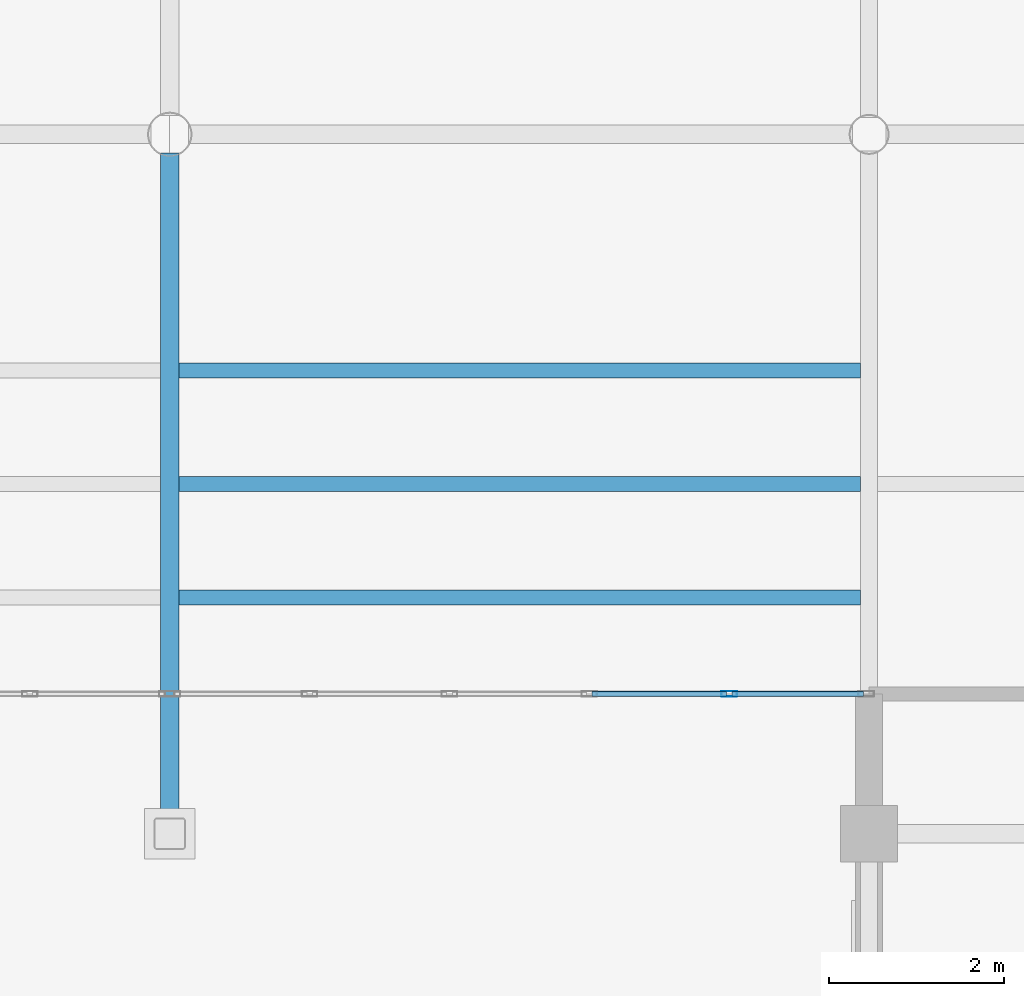
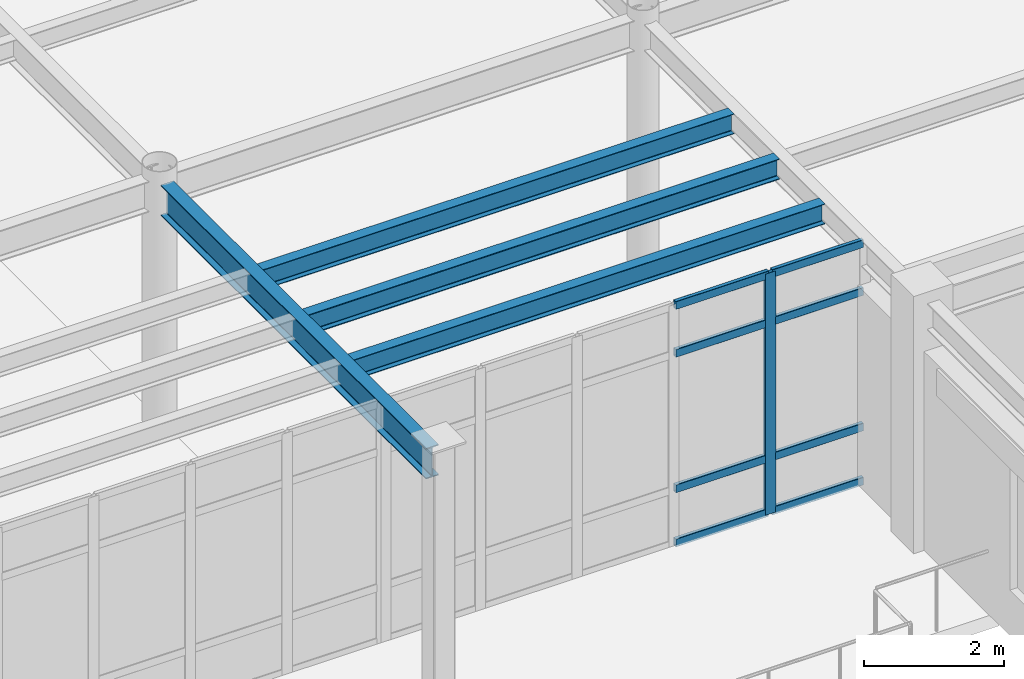
# One storey, part 46 of 111: 9 members, 4 beams, 1 element without a shape of its own.
"""IFC4 building model written with IfcOpenShell, lengths in metres."""

from ifc_helpers import new_model, si_unit, direction, frame, origin, origin_2d, place, context, subcontext, project, spatial, hollow_rectangle, i_section, extrude, material, material_profile, profile_set, type_object, element, aggregate, save


model = new_model("IFC4")

# Units and contexts
model_context = context("Model", 3, precision=1e-05, world=origin(), true_north=direction((0.0, 1.0)))
body_context = subcontext(model_context, "Body", "Model", "MODEL_VIEW")
ifc_project = project(units=[si_unit("LENGTHUNIT", "METRE"), si_unit("AREAUNIT", "SQUARE_METRE"), si_unit("VOLUMEUNIT", "CUBIC_METRE"), si_unit("PLANEANGLEUNIT", "RADIAN"), si_unit("MASSUNIT", "GRAM", prefix="KILO")], contexts=[model_context])

# Site, building, storey
site_placement = place(None, origin())
site = spatial("IfcSite", under=ifc_project, at=site_placement, CompositionType="ELEMENT")
building_placement = place(site_placement, origin())
building = spatial("IfcBuilding", under=site, at=building_placement, Name="Solmirada Galleria", CompositionType="ELEMENT")
storey_placement = place(building_placement, frame((0.0, 0.0, 10.39990234375)))
storey = spatial("IfcBuildingStorey", under=building, at=storey_placement, Name="L02", CompositionType="ELEMENT", Elevation=10.39990234375)

# Beams
ifc_material_1 = material(Name="Steel S355 / ASTM A992 Grade 50", Category="steel")
ifc_material_profile_1 = material_profile(ifc_material_1, i_section(OverallWidth=0.2099609375, OverallDepth=0.537109375, WebThickness=0.010986328125, FlangeThickness=0.017333984375, FilletRadius=0.014892578125, at=origin_2d()), Name="W21X68")
ifc_profile_set_1 = profile_set([ifc_material_profile_1], Name="Steel S355 / ASTM A992 Grade 50")
beam_type_1 = type_object("IfcBeamType", Name="BM-GIRD-W21B", PredefinedType="BEAM", material=ifc_profile_set_1)
beam_1_placement = place(storey_placement, frame((80.0, 80.177978515625, 3.99169921875), z_axis=(0.0, 1.0, 0.0), x_axis=(-1.0, 0.0, 0.0)))
element("IfcBeam", 1, at=beam_1_placement, inside=storey, type_object=beam_type_1, Name="Primary girder L03 Y(80, 80..88)", PredefinedType="BEAM", context=body_context, shape_type="SweptSolid", body=[
    extrude(i_section(OverallWidth=0.2099609375, OverallDepth=0.537109375, WebThickness=0.010986328125, FlangeThickness=0.017333984375, FilletRadius=0.014892578125, at=origin_2d()), origin(), (0.0, 0.0, 1.0), 7.608642578125),
])
ifc_material_profile_2 = material_profile(ifc_material_1, i_section(OverallWidth=0.172119140625, OverallDepth=0.35791015625, WebThickness=0.0078125, FlangeThickness=0.01318359375, FilletRadius=0.011962890625, at=origin_2d()), Name="W14X38")
ifc_profile_set_2 = profile_set([ifc_material_profile_2], Name="Steel S355 / ASTM A992 Grade 50")
beam_type_2 = type_object("IfcBeamType", Name="BM-JST-W14A", PredefinedType="JOIST", material=ifc_profile_set_2)
beam_2_placement = place(storey_placement, frame((80.10498046875, 84.0, 4.0810546875), z_axis=(1.0, 0.0, 0.0), x_axis=(0.0, 1.0, 0.0)))
element("IfcBeam", 2, at=beam_2_placement, inside=storey, type_object=beam_type_2, Name="Composite floor joist L03 (80..88, 84.0)", PredefinedType="JOIST", context=body_context, shape_type="SweptSolid", body=[
    extrude(i_section(OverallWidth=0.172119140625, OverallDepth=0.35791015625, WebThickness=0.0078125, FlangeThickness=0.01318359375, FilletRadius=0.011962890625, at=origin_2d()), origin(), (0.0, 0.0, 1.0), 7.798095703125),
])
ifc_material_profile_3 = material_profile(ifc_material_1, i_section(OverallWidth=0.1708984375, OverallDepth=0.35205078125, WebThickness=0.0068359375, FlangeThickness=0.009765625, FilletRadius=0.010986328125, at=origin_2d()), Name="W14X30")
ifc_profile_set_3 = profile_set([ifc_material_profile_3], Name="Steel S355 / ASTM A992 Grade 50")
beam_type_3 = type_object("IfcBeamType", Name="BM-JST-W14B", PredefinedType="JOIST", material=ifc_profile_set_3)
for number, where, z_axis, x_axis, name in (
    (3, (80.10498046875, 82.699951171875, 4.083984375), (1.0, 0.0, 0.0), (0.0, 1.0, 0.0), "Terrace deck joist L03-TERR-NW X=80..88 (1)"),
    (4, (80.10498046875, 85.300048828125, 4.083984375), (1.0, 0.0, 0.0), (0.0, 1.0, 0.0), "Terrace deck joist L03-TERR-NW X=80..88 (2)"),
):
    element("IfcBeam", number, at=place(storey_placement, frame(where, z_axis=z_axis, x_axis=x_axis)), inside=storey, type_object=beam_type_3, Name=name, PredefinedType="JOIST", context=body_context, shape_type="SweptSolid", body=[
        extrude(i_section(OverallWidth=0.1708984375, OverallDepth=0.35205078125, WebThickness=0.0068359375, FlangeThickness=0.009765625, FilletRadius=0.010986328125, at=origin_2d()), origin(), (0.0, 0.0, 1.0), 7.798095703125),
    ])

# Curtain wall, members
ifc_material_2 = material(Name="Impact-resistant low-E double glazing", Category="glass")
curtain_wall_type = type_object("IfcCurtainWallType", Name="CW-FZ4-L02-B5-L080", PredefinedType="NOTDEFINED", material=ifc_material_2)
curtain_wall_placement = place(storey_placement, origin())
curtain_wall = element("IfcCurtainWall", 5, at=curtain_wall_placement, inside=storey, type_object=curtain_wall_type, Name="Terrace and arcade storefront CW-L02-088", PredefinedType="NOTDEFINED")
ifc_material_3 = material(Name="Anodised aluminium framing", Category="aluminium")
ifc_material_profile_4 = material_profile(ifc_material_3, hollow_rectangle(XDim=0.06494140625, YDim=0.179931640625, WallThickness=0.00390625, InnerFilletRadius=0.00390625, OuterFilletRadius=0.008056640625, at=origin_2d()), Name="ALU-MULL-180X65")
ifc_profile_set_4 = profile_set([ifc_material_profile_4], Name="Anodised aluminium framing")
member_type_1 = type_object("IfcMemberType", Name="CW-MULL-180", PredefinedType="MULLION", material=ifc_profile_set_4)
member_1_placement = place(storey_placement, frame((86.39990234375, 81.60009765625, 0.0), z_axis=(0.0, 0.0, 1.0), x_axis=(0.0, -1.0, 0.0)))
member_1 = element("IfcMember", 6, at=member_1_placement, type_object=member_type_1, Name="CW22 mullion 2", PredefinedType="MULLION", context=body_context, shape_type="SweptSolid", body=[
    extrude(hollow_rectangle(XDim=0.06494140625, YDim=0.179931640625, WallThickness=0.00390625, InnerFilletRadius=0.00390625, OuterFilletRadius=0.008056640625, at=origin_2d()), origin(), (0.0, 0.0, 1.0), 4.22021484375),
])
ifc_material_profile_5 = material_profile(ifc_material_3, hollow_rectangle(XDim=0.06494140625, YDim=0.139892578125, WallThickness=0.00341796875, InnerFilletRadius=0.00341796875, OuterFilletRadius=0.007080078125, at=origin_2d()), Name="ALU-TRAN-140X65")
ifc_profile_set_5 = profile_set([ifc_material_profile_5], Name="Anodised aluminium framing")
member_type_2 = type_object("IfcMemberType", Name="CW-TRAN-140", PredefinedType="USERDEFINED", material=ifc_profile_set_5)
member_2_placement = place(storey_placement, frame((87.93505859375, 81.60009765625, 0.03271484375), z_axis=(-1.0, 0.0, 0.0), x_axis=(0.0, -1.0, 0.0)))
member_2 = element("IfcMember", 7, at=member_2_placement, type_object=member_type_2, Name="CW22 transom 1.1", ObjectType="TRANSOM", PredefinedType="USERDEFINED", context=body_context, shape_type="SweptSolid", body=[
    extrude(hollow_rectangle(XDim=0.06494140625, YDim=0.139892578125, WallThickness=0.00341796875, InnerFilletRadius=0.00341796875, OuterFilletRadius=0.007080078125, at=origin_2d()), origin(), (0.0, 0.0, 1.0), 1.50244140625),
])
member_3_placement = place(storey_placement, frame((87.93505859375, 81.60009765625, 0.97998046875), z_axis=(-1.0, 0.0, 0.0), x_axis=(0.0, -1.0, 0.0)))
member_3 = element("IfcMember", 8, at=member_3_placement, type_object=member_type_2, Name="CW22 transom 1.2", ObjectType="TRANSOM", PredefinedType="USERDEFINED", context=body_context, shape_type="SweptSolid", body=[
    extrude(hollow_rectangle(XDim=0.06494140625, YDim=0.139892578125, WallThickness=0.00341796875, InnerFilletRadius=0.00341796875, OuterFilletRadius=0.007080078125, at=origin_2d()), origin(), (0.0, 0.0, 1.0), 1.50244140625),
])
member_4_placement = place(storey_placement, frame((87.93505859375, 81.60009765625, 3.35009765625), z_axis=(-1.0, 0.0, 0.0), x_axis=(0.0, -1.0, 0.0)))
member_4 = element("IfcMember", 9, at=member_4_placement, type_object=member_type_2, Name="CW22 transom 1.3", ObjectType="TRANSOM", PredefinedType="USERDEFINED", context=body_context, shape_type="SweptSolid", body=[
    extrude(hollow_rectangle(XDim=0.06494140625, YDim=0.139892578125, WallThickness=0.00341796875, InnerFilletRadius=0.00341796875, OuterFilletRadius=0.007080078125, at=origin_2d()), origin(), (0.0, 0.0, 1.0), 1.50244140625),
])
member_5_placement = place(storey_placement, frame((87.93505859375, 81.60009765625, 4.1875), z_axis=(-1.0, 0.0, 0.0), x_axis=(0.0, -1.0, 0.0)))
member_5 = element("IfcMember", 10, at=member_5_placement, type_object=member_type_2, Name="CW22 transom 1.4", ObjectType="TRANSOM", PredefinedType="USERDEFINED", context=body_context, shape_type="SweptSolid", body=[
    extrude(hollow_rectangle(XDim=0.06494140625, YDim=0.139892578125, WallThickness=0.00341796875, InnerFilletRadius=0.00341796875, OuterFilletRadius=0.007080078125, at=origin_2d()), origin(), (0.0, 0.0, 1.0), 1.50244140625),
])
member_6_placement = place(storey_placement, frame((86.367431640625, 81.60009765625, 0.03271484375), z_axis=(-1.0, 0.0, 0.0), x_axis=(0.0, -1.0, 0.0)))
member_6 = element("IfcMember", 11, at=member_6_placement, type_object=member_type_2, Name="CW22 transom 2.1", ObjectType="TRANSOM", PredefinedType="USERDEFINED", context=body_context, shape_type="SweptSolid", body=[
    extrude(hollow_rectangle(XDim=0.06494140625, YDim=0.139892578125, WallThickness=0.00341796875, InnerFilletRadius=0.00341796875, OuterFilletRadius=0.007080078125, at=origin_2d()), origin(), (0.0, 0.0, 1.0), 1.534912109375),
])
member_7_placement = place(storey_placement, frame((86.367431640625, 81.60009765625, 0.97998046875), z_axis=(-1.0, 0.0, 0.0), x_axis=(0.0, -1.0, 0.0)))
member_7 = element("IfcMember", 12, at=member_7_placement, type_object=member_type_2, Name="CW22 transom 2.2", ObjectType="TRANSOM", PredefinedType="USERDEFINED", context=body_context, shape_type="SweptSolid", body=[
    extrude(hollow_rectangle(XDim=0.06494140625, YDim=0.139892578125, WallThickness=0.00341796875, InnerFilletRadius=0.00341796875, OuterFilletRadius=0.007080078125, at=origin_2d()), origin(), (0.0, 0.0, 1.0), 1.534912109375),
])
member_8_placement = place(storey_placement, frame((86.367431640625, 81.60009765625, 3.35009765625), z_axis=(-1.0, 0.0, 0.0), x_axis=(0.0, -1.0, 0.0)))
member_8 = element("IfcMember", 13, at=member_8_placement, type_object=member_type_2, Name="CW22 transom 2.3", ObjectType="TRANSOM", PredefinedType="USERDEFINED", context=body_context, shape_type="SweptSolid", body=[
    extrude(hollow_rectangle(XDim=0.06494140625, YDim=0.139892578125, WallThickness=0.00341796875, InnerFilletRadius=0.00341796875, OuterFilletRadius=0.007080078125, at=origin_2d()), origin(), (0.0, 0.0, 1.0), 1.534912109375),
])
member_9_placement = place(storey_placement, frame((86.367431640625, 81.60009765625, 4.1875), z_axis=(-1.0, 0.0, 0.0), x_axis=(0.0, -1.0, 0.0)))
member_9 = element("IfcMember", 14, at=member_9_placement, type_object=member_type_2, Name="CW22 transom 2.4", ObjectType="TRANSOM", PredefinedType="USERDEFINED", context=body_context, shape_type="SweptSolid", body=[
    extrude(hollow_rectangle(XDim=0.06494140625, YDim=0.139892578125, WallThickness=0.00341796875, InnerFilletRadius=0.00341796875, OuterFilletRadius=0.007080078125, at=origin_2d()), origin(), (0.0, 0.0, 1.0), 1.534912109375),
])
aggregate(curtain_wall, [member_1, member_2, member_3, member_4, member_5, member_6, member_7, member_8, member_9])

save(model, "model.ifc")
